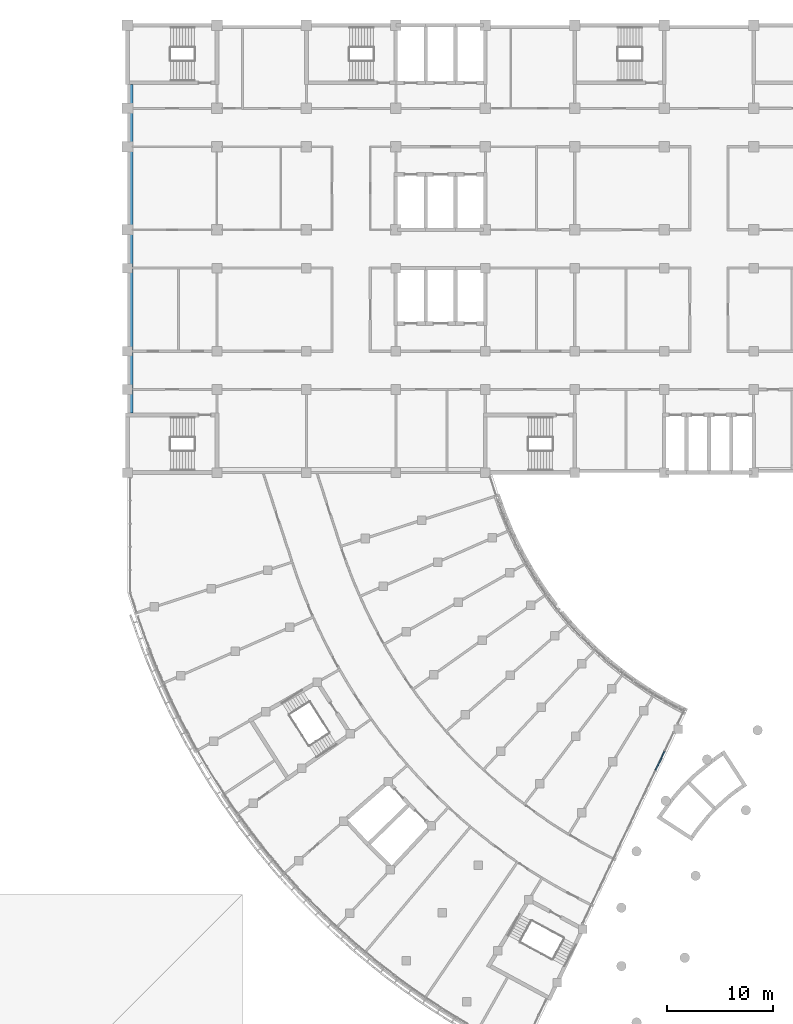
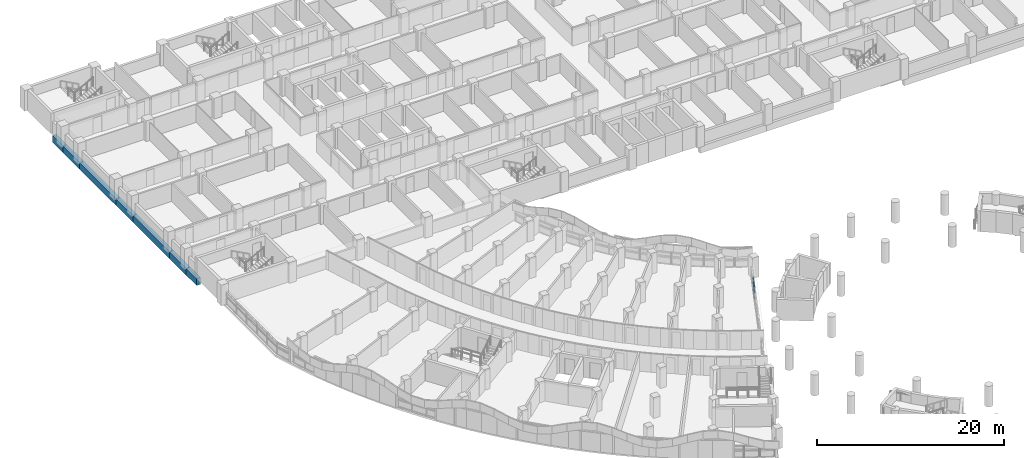
# One storey, part 15 of 89: 7 beams, 4 members, 1 element without a shape of its own.
"""IFC4 building model written with IfcOpenShell, lengths in metres."""

from ifc_helpers import new_model, si_unit, direction, frame, origin, origin_2d, place, context, subcontext, project, spatial, rectangle, extrude, material, material_profile, profile_set, type_object, element, aggregate, save


model = new_model("IFC4")

# Units and contexts
model_context = context("Model", 3, precision=1e-05, world=origin(), true_north=direction((0.0, 1.0)))
body_context = subcontext(model_context, "Body", "Model", "MODEL_VIEW")
ifc_project = project(units=[si_unit("LENGTHUNIT", "METRE"), si_unit("AREAUNIT", "SQUARE_METRE"), si_unit("VOLUMEUNIT", "CUBIC_METRE"), si_unit("PLANEANGLEUNIT", "RADIAN"), si_unit("MASSUNIT", "GRAM", prefix="KILO")], contexts=[model_context])

# Site, building, storey
site_placement = place(None, origin())
site = spatial("IfcSite", under=ifc_project, at=site_placement, CompositionType="ELEMENT")
building_placement = place(site_placement, origin())
building = spatial("IfcBuilding", under=site, at=building_placement, Name="Bougainvillea Quay General Hospital", CompositionType="ELEMENT")
storey_placement = place(building_placement, frame((0.0, 0.0, 9.89990234375)))
storey = spatial("IfcBuildingStorey", under=building, at=storey_placement, Name="L01M", CompositionType="ELEMENT", Elevation=9.89990234375)

# Curtain wall, members
ifc_material_1 = material(Name="Aluminium curtain wall system, powder-coated glazed", Category="aluminium")
curtain_wall_type = type_object("IfcCurtainWallType", Name="Unitised curtain wall CW-1997", PredefinedType="NOTDEFINED", material=ifc_material_1)
curtain_wall_placement = place(storey_placement, origin())
curtain_wall = element("IfcCurtainWall", 1, at=curtain_wall_placement, inside=storey, type_object=curtain_wall_type, Name="CW-AE 02", PredefinedType="NOTDEFINED")
ifc_material_2 = material(Name="Aluminium transom, powder-coated charcoal", Category="aluminium")
ifc_material_profile_1 = material_profile(ifc_material_2, rectangle(XDim=0.1201171875, YDim=0.06005859375, at=origin_2d()))
ifc_profile_set_1 = profile_set([ifc_material_profile_1], Name="Aluminium transom, powder-coated charcoal")
member_type = type_object("IfcMemberType", Name="Curtain wall transom 120x60", PredefinedType="USERDEFINED", material=ifc_profile_set_1)
member_1_placement = place(storey_placement, frame((91.58984375, 89.659423828125, 0.030029296875), z_axis=(0.430491490236, 0.902594635944, 0.0), x_axis=(-0.902594635944, 0.430491490236, 0.0)))
member_1 = element("IfcMember", 2, at=member_1_placement, type_object=member_type, Name="CW-AE transom 9.1", ObjectType="TRANSOM", PredefinedType="USERDEFINED", context=body_context, shape_type="SweptSolid", body=[
    extrude(rectangle(XDim=0.1201171875, YDim=0.06005859375, at=origin_2d()), origin(), (0.0, 0.0, 1.0), 1.93603515625),
])
member_2_placement = place(storey_placement, frame((91.58984375, 89.659423828125, 0.900146484375), z_axis=(0.430491490236, 0.902594635944, 0.0), x_axis=(-0.902594635944, 0.430491490236, 0.0)))
member_2 = element("IfcMember", 3, at=member_2_placement, type_object=member_type, Name="CW-AE transom 9.2", ObjectType="TRANSOM", PredefinedType="USERDEFINED", context=body_context, shape_type="SweptSolid", body=[
    extrude(rectangle(XDim=0.1201171875, YDim=0.06005859375, at=origin_2d()), origin(), (0.0, 0.0, 1.0), 1.93603515625),
])
member_3_placement = place(storey_placement, frame((91.58984375, 89.659423828125, 1.050048828125), z_axis=(0.430491490236, 0.902594635944, 0.0), x_axis=(-0.902594635944, 0.430491490236, 0.0)))
member_3 = element("IfcMember", 4, at=member_3_placement, type_object=member_type, Name="CW-AE transom 9.3", ObjectType="TRANSOM", PredefinedType="USERDEFINED", context=body_context, shape_type="SweptSolid", body=[
    extrude(rectangle(XDim=0.1201171875, YDim=0.06005859375, at=origin_2d()), origin(), (0.0, 0.0, 1.0), 1.93603515625),
])
member_4_placement = place(storey_placement, frame((91.58984375, 89.659423828125, 1.52001953125), z_axis=(0.430491490236, 0.902594635944, 0.0), x_axis=(-0.902594635944, 0.430491490236, 0.0)))
member_4 = element("IfcMember", 5, at=member_4_placement, type_object=member_type, Name="CW-AE transom 9.4", ObjectType="TRANSOM", PredefinedType="USERDEFINED", context=body_context, shape_type="SweptSolid", body=[
    extrude(rectangle(XDim=0.1201171875, YDim=0.06005859375, at=origin_2d()), origin(), (0.0, 0.0, 1.0), 1.93603515625),
])
aggregate(curtain_wall, [member_1, member_2, member_3, member_4])

# Beams
ifc_material_3 = material(Name="Concrete C40", Category="concrete")
ifc_material_profile_2 = material_profile(ifc_material_3, rectangle(XDim=0.5, YDim=0.89990234375, at=origin_2d()))
ifc_profile_set_2 = profile_set([ifc_material_profile_2], Name="Concrete C40")
beam_type = type_object("IfcBeamType", Name="RC BEAM 500x900 C40", PredefinedType="BEAM", material=ifc_profile_set_2)
beam_1_placement = place(storey_placement, frame((42.25, 154.02490234375, -0.699951171875), z_axis=(0.0, -1.0, 0.0), x_axis=(1.0, 0.0, 0.0)))
element("IfcBeam", 6, at=beam_1_placement, inside=storey, type_object=beam_type, Name="Edge beam L01M", PredefinedType="BEAM", context=body_context, shape_type="SweptSolid", body=[
    extrude(rectangle(XDim=0.5, YDim=0.89990234375, at=origin_2d()), origin(), (0.0, 0.0, 1.0), 2.224853515625),
])
beam_2_placement = place(storey_placement, frame((42.25, 151.800048828125, -0.699951171875), z_axis=(0.0, -1.0, 0.0), x_axis=(1.0, 0.0, 0.0)))
element("IfcBeam", 7, at=beam_2_placement, inside=storey, type_object=beam_type, Name="Edge beam L01M", PredefinedType="BEAM", context=body_context, shape_type="SweptSolid", body=[
    extrude(rectangle(XDim=0.5, YDim=0.89990234375, at=origin_2d()), origin(), (0.0, 0.0, 1.0), 3.60009765625),
])
beam_3_placement = place(storey_placement, frame((42.25, 148.199951171875, -0.699951171875), z_axis=(0.0, -1.0, 0.0), x_axis=(1.0, 0.0, 0.0)))
element("IfcBeam", 8, at=beam_3_placement, inside=storey, type_object=beam_type, Name="Edge beam L01M", PredefinedType="BEAM", context=body_context, shape_type="SweptSolid", body=[
    extrude(rectangle(XDim=0.5, YDim=0.89990234375, at=origin_2d()), origin(), (0.0, 0.0, 1.0), 7.800048828125),
])
beam_4_placement = place(storey_placement, frame((42.25, 140.39990234375, -0.699951171875), z_axis=(0.0, -1.0, 0.0), x_axis=(1.0, 0.0, 0.0)))
element("IfcBeam", 9, at=beam_4_placement, inside=storey, type_object=beam_type, Name="Edge beam L01M", PredefinedType="BEAM", context=body_context, shape_type="SweptSolid", body=[
    extrude(rectangle(XDim=0.5, YDim=0.89990234375, at=origin_2d()), origin(), (0.0, 0.0, 1.0), 3.599853515625),
])
beam_5_placement = place(storey_placement, frame((42.25, 136.800048828125, -0.699951171875), z_axis=(0.0, -1.0, 0.0), x_axis=(1.0, 0.0, 0.0)))
element("IfcBeam", 10, at=beam_5_placement, inside=storey, type_object=beam_type, Name="Edge beam L01M", PredefinedType="BEAM", context=body_context, shape_type="SweptSolid", body=[
    extrude(rectangle(XDim=0.5, YDim=0.89990234375, at=origin_2d()), origin(), (0.0, 0.0, 1.0), 7.800048828125),
])
beam_6_placement = place(storey_placement, frame((42.25, 129.0, -0.699951171875), z_axis=(0.0, -1.0, 0.0), x_axis=(1.0, 0.0, 0.0)))
element("IfcBeam", 11, at=beam_6_placement, inside=storey, type_object=beam_type, Name="Edge beam L01M", PredefinedType="BEAM", context=body_context, shape_type="SweptSolid", body=[
    extrude(rectangle(XDim=0.5, YDim=0.89990234375, at=origin_2d()), origin(), (0.0, 0.0, 1.0), 3.60009765625),
])
beam_7_placement = place(storey_placement, frame((42.25, 125.39990234375, -0.699951171875), z_axis=(0.0, -1.0, 0.0), x_axis=(1.0, 0.0, 0.0)))
element("IfcBeam", 12, at=beam_7_placement, inside=storey, type_object=beam_type, Name="Edge beam L01M", PredefinedType="BEAM", context=body_context, shape_type="SweptSolid", body=[
    extrude(rectangle(XDim=0.5, YDim=0.89990234375, at=origin_2d()), origin(), (0.0, 0.0, 1.0), 2.224853515625),
])

save(model, "model.ifc")
